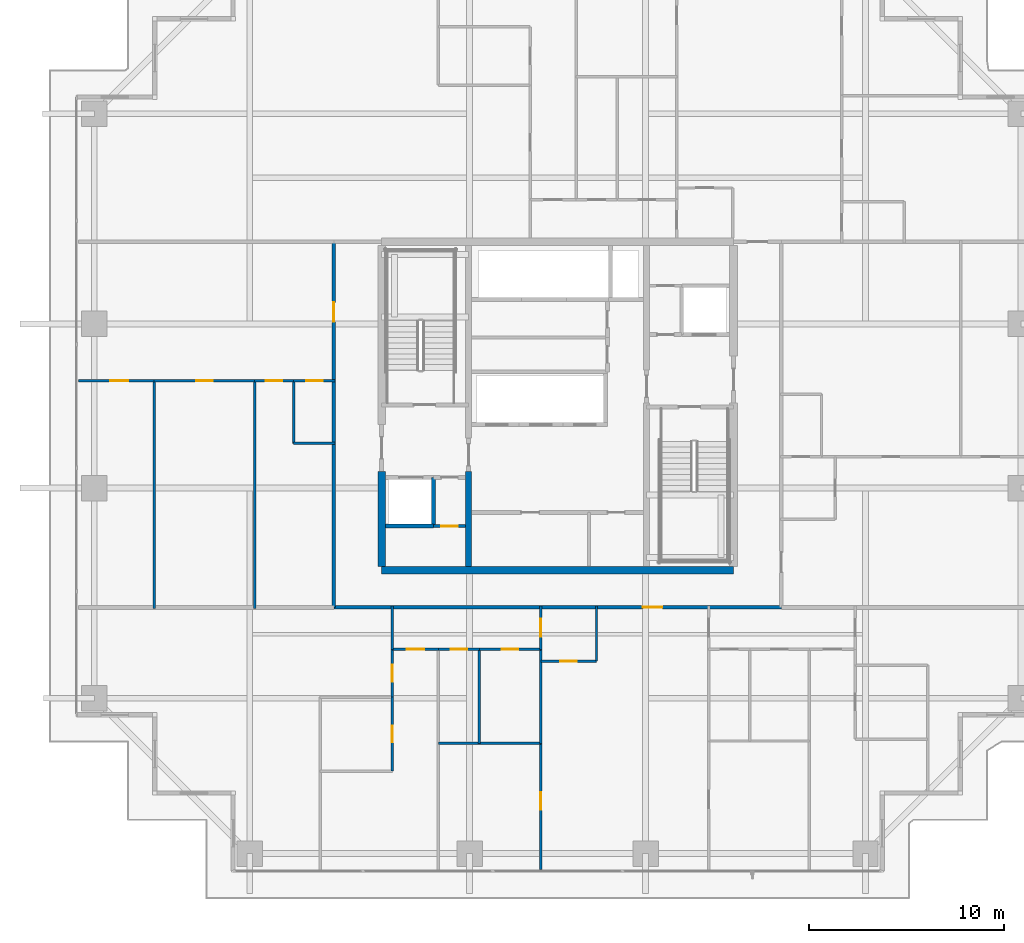
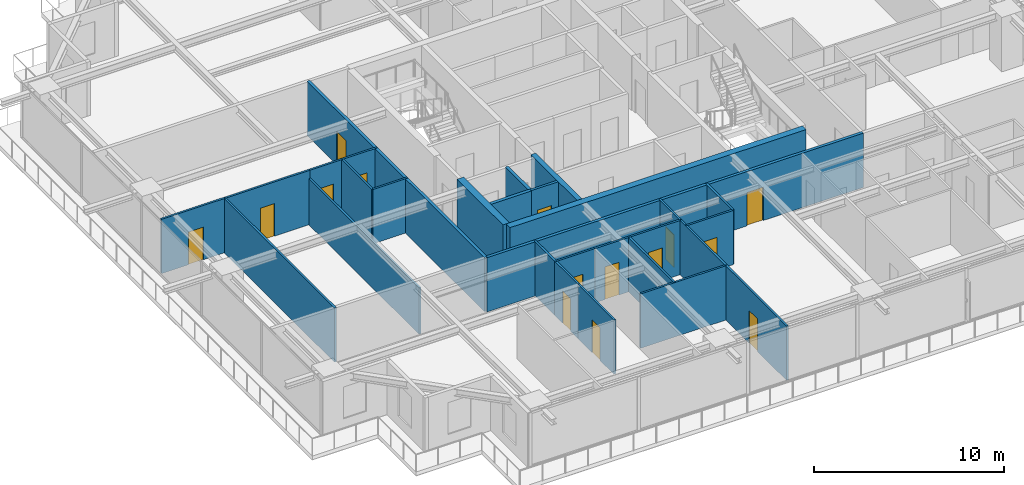
# One storey, part 24 of 34: 29 walls, 15 doors, 15 openings.
"""IFC4 building model written with IfcOpenShell, lengths in metres."""

from ifc_helpers import new_model, si_unit, direction, frame, frame_2d, origin, place, context, subcontext, project, spatial, rectangle, extrude, source, transform, mapped, material, layer, layer_set, type_object, element, fill, save


model = new_model("IFC4")

# Units and contexts
model_context = context("Model", 3, precision=1e-05, world=origin(), true_north=direction((0.0, 1.0)))
body_context = subcontext(model_context, "Body", "Model", "MODEL_VIEW")
ifc_project = project(units=[si_unit("LENGTHUNIT", "METRE"), si_unit("AREAUNIT", "SQUARE_METRE"), si_unit("VOLUMEUNIT", "CUBIC_METRE"), si_unit("PLANEANGLEUNIT", "RADIAN"), si_unit("MASSUNIT", "GRAM", prefix="KILO")], contexts=[model_context])

# Site, building, storey
site_placement = place(None, origin())
site = spatial("IfcSite", under=ifc_project, at=site_placement, CompositionType="ELEMENT")
building_placement = place(site_placement, origin())
building = spatial("IfcBuilding", under=site, at=building_placement, Name="Serunith Strait Residences", CompositionType="ELEMENT")
storey_placement = place(building_placement, frame((0.0, 0.0, 135.14990234375)))
storey = spatial("IfcBuildingStorey", under=building, at=storey_placement, Name="L33", CompositionType="ELEMENT", Elevation=135.14990234375)

# Wall, opening, door
ifc_material_1 = material(Name="Fire-rated masonry service closet wall", Category="masonry")
ifc_layer_1 = layer(ifc_material_1, 0.14990234375, Name="Fire-rated masonry service closet wall")
ifc_layer_set_1 = layer_set([ifc_layer_1], Name="Fire-rated masonry service closet wall")
wall_type_1 = type_object("IfcWallType", Name="IW-BOH-150", PredefinedType="PARTITIONING", material=ifc_layer_set_1)
wall_1_placement = place(storey_placement, frame((26.052001953125, 19.050048828125, 0.0), z_axis=(0.0, 0.0, 1.0), x_axis=(1.0, 0.0, 0.0)))
wall_1 = element("IfcWall", 1, at=wall_1_placement, inside=storey, type_object=wall_type_1, Name="L33 Partition Wall 012", PredefinedType="PARTITIONING", context=body_context, shape_type="SweptSolid", body=[
    extrude(rectangle(XDim=1.64794921875, YDim=0.14990234375, at=frame_2d((0.823974609375, 0.0))), origin(), (0.0, 0.0, 1.0), 3.489990234375),
])
opening_1_placement = place(wall_1_placement, frame((0.39892578125, 0.0, 0.0)))
opening_1 = element("IfcOpeningElement", 2, at=opening_1_placement, cuts=wall_1, Name="Opening FD-850", PredefinedType="OPENING", context=body_context, shape_type="SweptSolid", body=[
    extrude(rectangle(XDim=0.85009765625, YDim=2.10009765625, at=frame_2d((0.425048828125, 1.050048828125))), frame((0.0, 0.0849609375, 0.0), z_axis=(0.0, -1.0, 0.0), x_axis=(1.0, 0.0, 0.0)), (0.0, 0.0, 1.0), 0.169921875),
])
ifc_material_2 = material(Name="Powder-coated steel service closet door", Category="steel")
door_type_1 = type_object("IfcDoorType", Name="FD-BOH-850", OperationType="NOTDEFINED", PredefinedType="DOOR", material=ifc_material_2)
shared_shape_1 = source(origin(), body_context, "Body", "SweptSolid", [
    extrude(rectangle(XDim=0.85009765625, YDim=2.10009765625, at=frame_2d((0.425048828125, 1.050048828125))), frame((0.0, 0.02490234375, 0.0), z_axis=(0.0, -1.0, 0.0), x_axis=(1.0, 0.0, 0.0)), (0.0, 0.0, 1.0), 0.050048828125),
])
door_1_placement = place(opening_1_placement, origin())
door_1 = element("IfcDoor", 3, at=door_1_placement, inside=storey, type_object=door_type_1, Name="L33 Water Meter Door", OperationType="SINGLE_SWING_LEFT", OverallHeight=2.10009765625, OverallWidth=0.85009765625, PredefinedType="DOOR", context=body_context, shape_type="MappedRepresentation", body=[
    mapped(shared_shape_1, transform((0.0, 0.0, 0.0), scale=1.0)),
])
fill(opening_1, door_1)

ifc_material_3 = material(Name="Fire-rated acoustic gypsum partition")
ifc_layer_2 = layer(ifc_material_3, 0.179931640625, Name="Fire-rated acoustic gypsum partition")
ifc_layer_set_2 = layer_set([ifc_layer_2], Name="Fire-rated acoustic gypsum partition")
wall_type_2 = type_object("IfcWallType", Name="IW-CORR-180", PredefinedType="PARTITIONING", material=ifc_layer_set_2)
wall_2_placement = place(storey_placement, frame((20.951904296875, 14.89990234375, 0.0), z_axis=(0.0, 0.0, 1.0), x_axis=(1.0, 0.0, 0.0)))
wall_2 = element("IfcWall", 4, at=wall_2_placement, inside=storey, type_object=wall_type_2, Name="L33 Partition Wall 024", PredefinedType="PARTITIONING", context=body_context, shape_type="SweptSolid", body=[
    extrude(rectangle(XDim=22.89599609375, YDim=0.179931640625, at=frame_2d((11.447998046875, 0.0))), origin(), (0.0, 0.0, 1.0), 3.489990234375),
])
opening_2_placement = place(wall_2_placement, frame((15.80908203125, 0.0, 0.0)))
opening_2 = element("IfcOpeningElement", 5, at=opening_2_placement, cuts=wall_2, Name="Opening D-APT1000", PredefinedType="OPENING", context=body_context, shape_type="SweptSolid", body=[
    extrude(rectangle(XDim=1.0, YDim=2.14990234375, at=frame_2d((0.5, 1.074951171875))), frame((0.0, 0.10009765625, 0.0), z_axis=(0.0, -1.0, 0.0), x_axis=(1.0, 0.0, 0.0)), (0.0, 0.0, 1.0), 0.199951171875),
])
ifc_material_4 = material(Name="Solid timber engineered fire door", Category="wood")
door_type_2 = type_object("IfcDoorType", Name="ID-APT-1000", OperationType="NOTDEFINED", PredefinedType="DOOR", material=ifc_material_4)
shared_shape_2 = source(origin(), body_context, "Body", "SweptSolid", [
    extrude(rectangle(XDim=1.0, YDim=2.14990234375, at=frame_2d((0.5, 1.074951171875))), frame((0.0, 0.02490234375, 0.0), z_axis=(0.0, -1.0, 0.0), x_axis=(1.0, 0.0, 0.0)), (0.0, 0.0, 1.0), 0.050048828125),
])
door_2_placement = place(opening_2_placement, origin())
door_2 = element("IfcDoor", 6, at=door_2_placement, inside=storey, type_object=door_type_2, Name="L33 Unit 01 Entrance Door", OperationType="SINGLE_SWING_LEFT", OverallHeight=2.14990234375, OverallWidth=1.0, PredefinedType="DOOR", context=body_context, shape_type="MappedRepresentation", body=[
    mapped(shared_shape_2, transform((0.0, 0.0, 0.0), scale=1.0)),
])
fill(opening_2, door_2)

wall_3_placement = place(storey_placement, frame((20.949951171875, 14.89990234375, 0.0), z_axis=(0.0, 0.0, 1.0), x_axis=(0.0, 1.0, 0.0)))
wall_3 = element("IfcWall", 7, at=wall_3_placement, inside=storey, type_object=wall_type_2, Name="L33 Partition Wall 025", PredefinedType="PARTITIONING", context=body_context, shape_type="SweptSolid", body=[
    extrude(rectangle(XDim=18.7001953125, YDim=0.179931640625, at=frame_2d((9.35009765625, 0.0))), origin(), (0.0, 0.0, 1.0), 3.489990234375),
])
opening_3_placement = place(wall_3_placement, frame((14.60302734375, 0.0, 0.0)))
opening_3 = element("IfcOpeningElement", 8, at=opening_3_placement, cuts=wall_3, Name="Opening D-APT1000", PredefinedType="OPENING", context=body_context, shape_type="SweptSolid", body=[
    extrude(rectangle(XDim=1.0, YDim=2.14990234375, at=frame_2d((0.5, 1.074951171875))), frame((0.0, 0.10009765625, 0.0), z_axis=(0.0, -1.0, 0.0), x_axis=(1.0, 0.0, 0.0)), (0.0, 0.0, 1.0), 0.199951171875),
])
door_3_placement = place(opening_3_placement, origin())
door_3 = element("IfcDoor", 9, at=door_3_placement, inside=storey, type_object=door_type_2, Name="L33 Unit 03 Entrance Door", OperationType="SINGLE_SWING_RIGHT", OverallHeight=2.14990234375, OverallWidth=1.0, PredefinedType="DOOR", context=body_context, shape_type="MappedRepresentation", body=[
    mapped(shared_shape_2, transform((0.0, 0.0, 0.0), scale=1.0)),
])
fill(opening_3, door_3)

ifc_material_5 = material(Name="Lightweight steel-stud gypsum partition", Category="steel")
ifc_layer_3 = layer(ifc_material_5, 0.1201171875, Name="Lightweight steel-stud gypsum partition")
ifc_layer_set_3 = layer_set([ifc_layer_3], Name="Lightweight steel-stud gypsum partition")
wall_type_3 = type_object("IfcWallType", Name="IW-PART-120", PredefinedType="PARTITIONING", material=ifc_layer_set_3)
wall_4_placement = place(storey_placement, frame((31.5400390625, 12.14990234375, 0.0), z_axis=(0.0, 0.0, 1.0), x_axis=(1.0, 0.0, 0.0)))
wall_4 = element("IfcWall", 10, at=wall_4_placement, inside=storey, type_object=wall_type_3, Name="L33 Partition Wall 029", PredefinedType="PARTITIONING", context=body_context, shape_type="SweptSolid", body=[
    extrude(rectangle(XDim=2.849853515625, YDim=0.1201171875, at=frame_2d((1.4248046875, 0.0))), origin(), (0.0, 0.0, 1.0), 3.489990234375),
])
opening_4_placement = place(wall_4_placement, frame((1.0, 0.0, 0.0)))
opening_4 = element("IfcOpeningElement", 11, at=opening_4_placement, cuts=wall_4, Name="Opening D-RM850", PredefinedType="OPENING", context=body_context, shape_type="SweptSolid", body=[
    extrude(rectangle(XDim=0.85009765625, YDim=2.10009765625, at=frame_2d((0.425048828125, 1.050048828125))), frame((0.0, 0.070068359375, 0.0), z_axis=(0.0, -1.0, 0.0), x_axis=(1.0, 0.0, 0.0)), (0.0, 0.0, 1.0), 0.14013671875),
])
ifc_material_6 = material(Name="Engineered timber flush study and kitchen door", Category="wood")
door_type_3 = type_object("IfcDoorType", Name="ID-ROOM-850", OperationType="NOTDEFINED", PredefinedType="DOOR", material=ifc_material_6)
door_4_placement = place(opening_4_placement, origin())
door_4 = element("IfcDoor", 12, at=door_4_placement, inside=storey, type_object=door_type_3, Name="L33 Kitchen 3301 Door", OperationType="SINGLE_SWING_LEFT", OverallHeight=2.10009765625, OverallWidth=0.85009765625, PredefinedType="DOOR", context=body_context, shape_type="MappedRepresentation", body=[
    mapped(shared_shape_1, transform((0.0, 0.0, 0.0), scale=1.0)),
])
fill(opening_4, door_4)

# Wall
wall_5_placement = place(storey_placement, frame((34.389892578125, 12.14990234375, 0.0), z_axis=(0.0, 0.0, 1.0), x_axis=(0.0, 1.0, 0.0)))
element("IfcWall", 13, at=wall_5_placement, inside=storey, type_object=wall_type_3, Name="L33 Partition Wall 030", PredefinedType="PARTITIONING", context=body_context, shape_type="SweptSolid", body=[
    extrude(rectangle(XDim=2.81005859375, YDim=0.1201171875, at=frame_2d((1.405029296875, 0.0))), origin(), (0.0, 0.0, 1.0), 3.489990234375),
])

# Wall, opening, door
wall_6_placement = place(storey_placement, frame((31.5400390625, 12.75, 0.0), z_axis=(0.0, 0.0, 1.0), x_axis=(0.0, 1.0, 0.0)))
wall_6 = element("IfcWall", 14, at=wall_6_placement, inside=storey, type_object=wall_type_3, Name="L33 Partition Wall 031", PredefinedType="PARTITIONING", context=body_context, shape_type="SweptSolid", body=[
    extrude(rectangle(XDim=2.2099609375, YDim=0.1201171875, at=frame_2d((1.10498046875, 0.0))), origin(), (0.0, 0.0, 1.0), 3.489990234375),
])
opening_5_placement = place(wall_6_placement, frame((0.655029296875, 0.0, 0.0)))
opening_5 = element("IfcOpeningElement", 15, at=opening_5_placement, cuts=wall_6, Name="Opening D-RM900", PredefinedType="OPENING", context=body_context, shape_type="SweptSolid", body=[
    extrude(rectangle(XDim=0.89990234375, YDim=2.10009765625, at=frame_2d((0.449951171875, 1.050048828125))), frame((0.0, 0.070068359375, 0.0), z_axis=(0.0, -1.0, 0.0), x_axis=(1.0, 0.0, 0.0)), (0.0, 0.0, 1.0), 0.14013671875),
])
ifc_material_7 = material(Name="Engineered timber flush bedroom door", Category="wood")
door_type_4 = type_object("IfcDoorType", Name="ID-ROOM-900", OperationType="NOTDEFINED", PredefinedType="DOOR", material=ifc_material_7)
shared_shape_3 = source(origin(), body_context, "Body", "SweptSolid", [
    extrude(rectangle(XDim=0.89990234375, YDim=2.10009765625, at=frame_2d((0.449951171875, 1.050048828125))), frame((0.0, 0.02490234375, 0.0), z_axis=(0.0, -1.0, 0.0), x_axis=(1.0, 0.0, 0.0)), (0.0, 0.0, 1.0), 0.050048828125),
])
door_5_placement = place(opening_5_placement, origin())
door_5 = element("IfcDoor", 16, at=door_5_placement, inside=storey, type_object=door_type_4, Name="L33 Hall W 3301 Door", OperationType="SINGLE_SWING_RIGHT", OverallHeight=2.10009765625, OverallWidth=0.89990234375, PredefinedType="DOOR", context=body_context, shape_type="MappedRepresentation", body=[
    mapped(shared_shape_3, transform((0.0, 0.0, 0.0), scale=1.0)),
])
fill(opening_5, door_5)

wall_7_placement = place(storey_placement, frame((31.5400390625, 1.4951171875, 0.0), z_axis=(0.0, 0.0, 1.0), x_axis=(0.0, 1.0, 0.0)))
wall_7 = element("IfcWall", 17, at=wall_7_placement, inside=storey, type_object=wall_type_3, Name="L33 Partition Wall 032", PredefinedType="PARTITIONING", context=body_context, shape_type="SweptSolid", body=[
    extrude(rectangle(XDim=6.449951171875, YDim=0.1201171875, at=frame_2d((3.22509765625, 0.0))), origin(), (0.0, 0.0, 1.0), 3.489990234375),
])
opening_6_placement = place(wall_7_placement, frame((3.052978515625, 0.0, 0.0)))
opening_6 = element("IfcOpeningElement", 18, at=opening_6_placement, cuts=wall_7, Name="Opening D-RM900", PredefinedType="OPENING", context=body_context, shape_type="SweptSolid", body=[
    extrude(rectangle(XDim=0.89990234375, YDim=2.10009765625, at=frame_2d((0.449951171875, 1.050048828125))), frame((0.0, 0.070068359375, 0.0), z_axis=(0.0, -1.0, 0.0), x_axis=(1.0, 0.0, 0.0)), (0.0, 0.0, 1.0), 0.14013671875),
])
door_6_placement = place(opening_6_placement, origin())
door_6 = element("IfcDoor", 19, at=door_6_placement, inside=storey, type_object=door_type_4, Name="L33 Formal Dining Room 1 3301 Door", OperationType="SINGLE_SWING_LEFT", OverallHeight=2.10009765625, OverallWidth=0.89990234375, PredefinedType="DOOR", context=body_context, shape_type="MappedRepresentation", body=[
    mapped(shared_shape_3, transform((0.0, 0.0, 0.0), scale=1.0)),
])
fill(opening_6, door_6)

# Walls
wall_8_placement = place(storey_placement, frame((31.5400390625, 7.947021484375, 0.0), z_axis=(0.0, 0.0, 1.0), x_axis=(0.0, 1.0, 0.0)))
element("IfcWall", 20, at=wall_8_placement, inside=storey, type_object=wall_type_3, Name="L33 Partition Wall 033", PredefinedType="PARTITIONING", context=body_context, shape_type="SweptSolid", body=[
    extrude(rectangle(XDim=4.801025390625, YDim=0.1201171875, at=frame_2d((2.400390625, 0.0))), origin(), (0.0, 0.0, 1.0), 3.489990234375),
])
wall_9_placement = place(storey_placement, frame((26.300048828125, 7.945068359375, 0.0), z_axis=(0.0, 0.0, 1.0), x_axis=(1.0, 0.0, 0.0)))
element("IfcWall", 21, at=wall_9_placement, inside=storey, type_object=wall_type_3, Name="L33 Partition Wall 034", PredefinedType="PARTITIONING", context=body_context, shape_type="SweptSolid", body=[
    extrude(rectangle(XDim=5.239990234375, YDim=0.1201171875, at=frame_2d((2.6201171875, 0.0))), origin(), (0.0, 0.0, 1.0), 3.489990234375),
])
wall_10_placement = place(storey_placement, frame((28.39990234375, 7.945068359375, 0.0), z_axis=(0.0, 0.0, 1.0), x_axis=(0.0, 1.0, 0.0)))
element("IfcWall", 22, at=wall_10_placement, inside=storey, type_object=wall_type_3, Name="L33 Partition Wall 036", PredefinedType="PARTITIONING", context=body_context, shape_type="SweptSolid", body=[
    extrude(rectangle(XDim=4.804931640625, YDim=0.1201171875, at=frame_2d((2.40234375, 0.0))), origin(), (0.0, 0.0, 1.0), 3.489990234375),
])

# Wall, opening, door
wall_11_placement = place(storey_placement, frame((26.300048828125, 12.75, 0.0), z_axis=(0.0, 0.0, 1.0), x_axis=(1.0, 0.0, 0.0)))
wall_11 = element("IfcWall", 23, at=wall_11_placement, inside=storey, type_object=wall_type_3, Name="L33 Partition Wall 037", PredefinedType="PARTITIONING", context=body_context, shape_type="SweptSolid", body=[
    extrude(rectangle(XDim=2.099853515625, YDim=0.1201171875, at=frame_2d((1.0498046875, 0.0))), origin(), (0.0, 0.0, 1.0), 3.489990234375),
])
opening_7_placement = place(wall_11_placement, frame((0.625, 0.0, 0.0)))
opening_7 = element("IfcOpeningElement", 24, at=opening_7_placement, cuts=wall_11, Name="Opening D-BTH850", PredefinedType="OPENING", context=body_context, shape_type="SweptSolid", body=[
    extrude(rectangle(XDim=0.85009765625, YDim=2.10009765625, at=frame_2d((0.425048828125, 1.050048828125))), frame((0.0, 0.070068359375, 0.0), z_axis=(0.0, -1.0, 0.0), x_axis=(1.0, 0.0, 0.0)), (0.0, 0.0, 1.0), 0.14013671875),
])
ifc_material_8 = material(Name="Moisture-resistant timber bathroom door", Category="wood")
door_type_5 = type_object("IfcDoorType", Name="ID-BATH-850", OperationType="NOTDEFINED", PredefinedType="DOOR", material=ifc_material_8)
door_7_placement = place(opening_7_placement, origin())
door_7 = element("IfcDoor", 25, at=door_7_placement, inside=storey, type_object=door_type_5, Name="L33 Bathroom 3301 Door", OperationType="SINGLE_SWING_RIGHT", OverallHeight=2.10009765625, OverallWidth=0.85009765625, PredefinedType="DOOR", context=body_context, shape_type="MappedRepresentation", body=[
    mapped(shared_shape_1, transform((0.0, 0.0, 0.0), scale=1.0)),
])
fill(opening_7, door_7)

wall_12_placement = place(storey_placement, frame((28.402099609375, 12.75, 0.0), z_axis=(0.0, 0.0, 1.0), x_axis=(1.0, 0.0, 0.0)))
wall_12 = element("IfcWall", 26, at=wall_12_placement, inside=storey, type_object=wall_type_3, Name="L33 Partition Wall 038", PredefinedType="PARTITIONING", context=body_context, shape_type="SweptSolid", body=[
    extrude(rectangle(XDim=3.137939453125, YDim=0.1201171875, at=frame_2d((1.56884765625, 0.0))), origin(), (0.0, 0.0, 1.0), 3.489990234375),
])
opening_8_placement = place(wall_12_placement, frame((1.14404296875, 0.0, 0.0)))
opening_8 = element("IfcOpeningElement", 27, at=opening_8_placement, cuts=wall_12, Name="Opening D-RM850", PredefinedType="OPENING", context=body_context, shape_type="SweptSolid", body=[
    extrude(rectangle(XDim=0.85009765625, YDim=2.10009765625, at=frame_2d((0.425048828125, 1.050048828125))), frame((0.0, 0.070068359375, 0.0), z_axis=(0.0, -1.0, 0.0), x_axis=(1.0, 0.0, 0.0)), (0.0, 0.0, 1.0), 0.14013671875),
])
door_8_placement = place(opening_8_placement, origin())
door_8 = element("IfcDoor", 28, at=door_8_placement, inside=storey, type_object=door_type_3, Name="L33 Formal Dining Room 3301 Door", OperationType="SINGLE_SWING_LEFT", OverallHeight=2.10009765625, OverallWidth=0.85009765625, PredefinedType="DOOR", context=body_context, shape_type="MappedRepresentation", body=[
    mapped(shared_shape_1, transform((0.0, 0.0, 0.0), scale=1.0)),
])
fill(opening_8, door_8)

wall_13_placement = place(storey_placement, frame((23.949951171875, 12.75, 0.0), z_axis=(0.0, 0.0, 1.0), x_axis=(1.0, 0.0, 0.0)))
wall_13 = element("IfcWall", 29, at=wall_13_placement, inside=storey, type_object=wall_type_3, Name="L33 Partition Wall 039", PredefinedType="PARTITIONING", context=body_context, shape_type="SweptSolid", body=[
    extrude(rectangle(XDim=2.34814453125, YDim=0.1201171875, at=frame_2d((1.174072265625, 0.0))), origin(), (0.0, 0.0, 1.0), 3.489990234375),
])
opening_9_placement = place(wall_13_placement, frame((0.72412109375, 0.0, 0.0)))
opening_9 = element("IfcOpeningElement", 30, at=opening_9_placement, cuts=wall_13, Name="Opening D-RM900", PredefinedType="OPENING", context=body_context, shape_type="SweptSolid", body=[
    extrude(rectangle(XDim=0.89990234375, YDim=2.10009765625, at=frame_2d((0.449951171875, 1.050048828125))), frame((0.0, 0.070068359375, 0.0), z_axis=(0.0, -1.0, 0.0), x_axis=(1.0, 0.0, 0.0)), (0.0, 0.0, 1.0), 0.14013671875),
])
door_9_placement = place(opening_9_placement, origin())
door_9 = element("IfcDoor", 31, at=door_9_placement, inside=storey, type_object=door_type_4, Name="L33 Master Bedroom W 3301 Door", OperationType="SINGLE_SWING_RIGHT", OverallHeight=2.10009765625, OverallWidth=0.89990234375, PredefinedType="DOOR", context=body_context, shape_type="MappedRepresentation", body=[
    mapped(shared_shape_3, transform((0.0, 0.0, 0.0), scale=1.0)),
])
fill(opening_9, door_9)

wall_14_placement = place(storey_placement, frame((23.949951171875, 6.51904296875, 0.0), z_axis=(0.0, 0.0, 1.0), x_axis=(0.0, 1.0, 0.0)))
wall_14 = element("IfcWall", 32, at=wall_14_placement, inside=storey, type_object=wall_type_3, Name="L33 Partition Wall 043", PredefinedType="PARTITIONING", context=body_context, shape_type="SweptSolid", body=[
    extrude(rectangle(XDim=3.783935546875, YDim=0.1201171875, at=frame_2d((1.89208984375, 0.0))), origin(), (0.0, 0.0, 1.0), 3.489990234375),
])
opening_10_placement = place(wall_14_placement, frame((1.467041015625, 0.0, 0.0)))
opening_10 = element("IfcOpeningElement", 33, at=opening_10_placement, cuts=wall_14, Name="Opening D-BTH850", PredefinedType="OPENING", context=body_context, shape_type="SweptSolid", body=[
    extrude(rectangle(XDim=0.85009765625, YDim=2.10009765625, at=frame_2d((0.425048828125, 1.050048828125))), frame((0.0, 0.070068359375, 0.0), z_axis=(0.0, -1.0, 0.0), x_axis=(1.0, 0.0, 0.0)), (0.0, 0.0, 1.0), 0.14013671875),
])
door_10_placement = place(opening_10_placement, origin())
door_10 = element("IfcDoor", 34, at=door_10_placement, inside=storey, type_object=door_type_5, Name="L33 En-suite Bathroom W 3301 Door", OperationType="SINGLE_SWING_LEFT", OverallHeight=2.10009765625, OverallWidth=0.85009765625, PredefinedType="DOOR", context=body_context, shape_type="MappedRepresentation", body=[
    mapped(shared_shape_1, transform((0.0, 0.0, 0.0), scale=1.0)),
])
fill(opening_10, door_10)

wall_15_placement = place(storey_placement, frame((23.949951171875, 10.304931640625, 0.0), z_axis=(0.0, 0.0, 1.0), x_axis=(0.0, 1.0, 0.0)))
wall_15 = element("IfcWall", 35, at=wall_15_placement, inside=storey, type_object=wall_type_3, Name="L33 Partition Wall 044", PredefinedType="PARTITIONING", context=body_context, shape_type="SweptSolid", body=[
    extrude(rectangle(XDim=2.445068359375, YDim=0.1201171875, at=frame_2d((1.22265625, 0.0))), origin(), (0.0, 0.0, 1.0), 3.489990234375),
])
opening_11_placement = place(wall_15_placement, frame((0.798095703125, 0.0, 0.0)))
opening_11 = element("IfcOpeningElement", 36, at=opening_11_placement, cuts=wall_15, Name="Opening D-RM850", PredefinedType="OPENING", context=body_context, shape_type="SweptSolid", body=[
    extrude(rectangle(XDim=0.85009765625, YDim=2.10009765625, at=frame_2d((0.425048828125, 1.050048828125))), frame((0.0, 0.070068359375, 0.0), z_axis=(0.0, -1.0, 0.0), x_axis=(1.0, 0.0, 0.0)), (0.0, 0.0, 1.0), 0.14013671875),
])
door_11_placement = place(opening_11_placement, origin())
door_11 = element("IfcDoor", 37, at=door_11_placement, inside=storey, type_object=door_type_3, Name="L33 Wardrobe W 3301 Door", OperationType="SINGLE_SWING_RIGHT", OverallHeight=2.10009765625, OverallWidth=0.85009765625, PredefinedType="DOOR", context=body_context, shape_type="MappedRepresentation", body=[
    mapped(shared_shape_1, transform((0.0, 0.0, 0.0), scale=1.0)),
])
fill(opening_11, door_11)

# Wall
wall_16_placement = place(storey_placement, frame((23.949951171875, 12.751953125, 0.0), z_axis=(0.0, 0.0, 1.0), x_axis=(0.0, 1.0, 0.0)))
element("IfcWall", 38, at=wall_16_placement, inside=storey, type_object=wall_type_3, Name="L33 Partition Wall 045", PredefinedType="PARTITIONING", context=body_context, shape_type="SweptSolid", body=[
    extrude(rectangle(XDim=2.2080078125, YDim=0.1201171875, at=frame_2d((1.10400390625, 0.0))), origin(), (0.0, 0.0, 1.0), 3.489990234375),
])

# Wall, opening, door
wall_17_placement = place(storey_placement, frame((7.89501953125, 26.489990234375, 0.0), z_axis=(0.0, 0.0, 1.0), x_axis=(1.0, 0.0, 0.0)))
wall_17 = element("IfcWall", 39, at=wall_17_placement, inside=storey, type_object=wall_type_3, Name="L33 Partition Wall 084", PredefinedType="PARTITIONING", context=body_context, shape_type="SweptSolid", body=[
    extrude(rectangle(XDim=3.864013671875, YDim=0.1201171875, at=frame_2d((1.93212890625, 0.0))), origin(), (0.0, 0.0, 1.0), 3.489990234375),
])
opening_12_placement = place(wall_17_placement, frame((1.6298828125, 0.0, 0.0)))
opening_12 = element("IfcOpeningElement", 40, at=opening_12_placement, cuts=wall_17, Name="Opening D-RM900", PredefinedType="OPENING", context=body_context, shape_type="SweptSolid", body=[
    extrude(rectangle(XDim=0.89990234375, YDim=2.10009765625, at=frame_2d((0.449951171875, 1.050048828125))), frame((0.0, 0.070068359375, 0.0), z_axis=(0.0, -1.0, 0.0), x_axis=(1.0, 0.0, 0.0)), (0.0, 0.0, 1.0), 0.14013671875),
])
door_12_placement = place(opening_12_placement, origin())
door_12 = element("IfcDoor", 41, at=door_12_placement, inside=storey, type_object=door_type_4, Name="L33 Master Bedroom 1 3303 Door", OperationType="SINGLE_SWING_LEFT", OverallHeight=2.10009765625, OverallWidth=0.89990234375, PredefinedType="DOOR", context=body_context, shape_type="MappedRepresentation", body=[
    mapped(shared_shape_3, transform((0.0, 0.0, 0.0), scale=1.0)),
])
fill(opening_12, door_12)

# Walls
wall_18_placement = place(storey_placement, frame((11.759033203125, 14.840087890625, 0.0), z_axis=(0.0, 0.0, 1.0), x_axis=(0.0, 1.0, 0.0)))
element("IfcWall", 42, at=wall_18_placement, inside=storey, type_object=wall_type_3, Name="L33 Partition Wall 085", PredefinedType="PARTITIONING", context=body_context, shape_type="SweptSolid", body=[
    extrude(rectangle(XDim=11.64990234375, YDim=0.1201171875, at=frame_2d((5.824951171875, 0.0))), origin(), (0.0, 0.0, 1.0), 3.489990234375),
])
wall_19_placement = place(storey_placement, frame((16.89990234375, 14.840087890625, 0.0), z_axis=(0.0, 0.0, 1.0), x_axis=(0.0, 1.0, 0.0)))
element("IfcWall", 43, at=wall_19_placement, inside=storey, type_object=wall_type_3, Name="L33 Partition Wall 086", PredefinedType="PARTITIONING", context=body_context, shape_type="SweptSolid", body=[
    extrude(rectangle(XDim=11.64990234375, YDim=0.1201171875, at=frame_2d((5.824951171875, 0.0))), origin(), (0.0, 0.0, 1.0), 2.97216796875),
])
wall_20_placement = place(storey_placement, frame((18.89990234375, 23.2900390625, 0.0), z_axis=(0.0, 0.0, 1.0), x_axis=(0.0, 1.0, 0.0)))
element("IfcWall", 44, at=wall_20_placement, inside=storey, type_object=wall_type_3, Name="L33 Partition Wall 087", PredefinedType="PARTITIONING", context=body_context, shape_type="SweptSolid", body=[
    extrude(rectangle(XDim=3.199951171875, YDim=0.1201171875, at=frame_2d((1.60009765625, 0.0))), origin(), (0.0, 0.0, 1.0), 3.489990234375),
])
wall_21_placement = place(storey_placement, frame((18.89990234375, 23.2900390625, 0.0), z_axis=(0.0, 0.0, 1.0), x_axis=(1.0, 0.0, 0.0)))
element("IfcWall", 45, at=wall_21_placement, inside=storey, type_object=wall_type_3, Name="L33 Partition Wall 088", PredefinedType="PARTITIONING", context=body_context, shape_type="SweptSolid", body=[
    extrude(rectangle(XDim=2.110107421875, YDim=0.1201171875, at=frame_2d((1.05517578125, 0.0))), origin(), (0.0, 0.0, 1.0), 3.489990234375),
])

# Wall, opening, door
wall_22_placement = place(storey_placement, frame((11.760986328125, 26.489990234375, 0.0), z_axis=(0.0, 0.0, 1.0), x_axis=(1.0, 0.0, 0.0)))
wall_22 = element("IfcWall", 46, at=wall_22_placement, inside=storey, type_object=wall_type_3, Name="L33 Partition Wall 089", PredefinedType="PARTITIONING", context=body_context, shape_type="SweptSolid", body=[
    extrude(rectangle(XDim=5.138916015625, YDim=0.1201171875, at=frame_2d((2.5693359375, 0.0))), origin(), (0.0, 0.0, 1.0), 3.489990234375),
])
opening_13_placement = place(wall_22_placement, frame((2.14404296875, 0.0, 0.0)))
opening_13 = element("IfcOpeningElement", 47, at=opening_13_placement, cuts=wall_22, Name="Opening D-RM850", PredefinedType="OPENING", context=body_context, shape_type="SweptSolid", body=[
    extrude(rectangle(XDim=0.85009765625, YDim=2.10009765625, at=frame_2d((0.425048828125, 1.050048828125))), frame((0.0, 0.070068359375, 0.0), z_axis=(0.0, -1.0, 0.0), x_axis=(1.0, 0.0, 0.0)), (0.0, 0.0, 1.0), 0.14013671875),
])
door_13_placement = place(opening_13_placement, origin())
door_13 = element("IfcDoor", 48, at=door_13_placement, inside=storey, type_object=door_type_3, Name="L33 Dining 3303 Door", OperationType="SINGLE_SWING_RIGHT", OverallHeight=2.10009765625, OverallWidth=0.85009765625, PredefinedType="DOOR", context=body_context, shape_type="MappedRepresentation", body=[
    mapped(shared_shape_1, transform((0.0, 0.0, 0.0), scale=1.0)),
])
fill(opening_13, door_13)

wall_23_placement = place(storey_placement, frame((16.902099609375, 26.489990234375, 0.0), z_axis=(0.0, 0.0, 1.0), x_axis=(1.0, 0.0, 0.0)))
wall_23 = element("IfcWall", 49, at=wall_23_placement, inside=storey, type_object=wall_type_3, Name="L33 Partition Wall 090", PredefinedType="PARTITIONING", context=body_context, shape_type="SweptSolid", body=[
    extrude(rectangle(XDim=1.997802734375, YDim=0.1201171875, at=frame_2d((0.9990234375, 0.0))), origin(), (0.0, 0.0, 1.0), 3.489990234375),
])
opening_14_placement = place(wall_23_placement, frame((0.573974609375, 0.0, 0.0)))
opening_14 = element("IfcOpeningElement", 50, at=opening_14_placement, cuts=wall_23, Name="Opening D-RM850", PredefinedType="OPENING", context=body_context, shape_type="SweptSolid", body=[
    extrude(rectangle(XDim=0.85009765625, YDim=2.10009765625, at=frame_2d((0.425048828125, 1.050048828125))), frame((0.0, 0.070068359375, 0.0), z_axis=(0.0, -1.0, 0.0), x_axis=(1.0, 0.0, 0.0)), (0.0, 0.0, 1.0), 0.14013671875),
])
door_14_placement = place(opening_14_placement, origin())
door_14 = element("IfcDoor", 51, at=door_14_placement, inside=storey, type_object=door_type_3, Name="L33 Kitchen 3303 Door", OperationType="SINGLE_SWING_LEFT", OverallHeight=2.10009765625, OverallWidth=0.85009765625, PredefinedType="DOOR", context=body_context, shape_type="MappedRepresentation", body=[
    mapped(shared_shape_1, transform((0.0, 0.0, 0.0), scale=1.0)),
])
fill(opening_14, door_14)

wall_24_placement = place(storey_placement, frame((18.902099609375, 26.489990234375, 0.0), z_axis=(0.0, 0.0, 1.0), x_axis=(1.0, 0.0, 0.0)))
wall_24 = element("IfcWall", 52, at=wall_24_placement, inside=storey, type_object=wall_type_3, Name="L33 Partition Wall 091", PredefinedType="PARTITIONING", context=body_context, shape_type="SweptSolid", body=[
    extrude(rectangle(XDim=2.10791015625, YDim=0.1201171875, at=frame_2d((1.053955078125, 0.0))), origin(), (0.0, 0.0, 1.0), 3.489990234375),
])
opening_15_placement = place(wall_24_placement, frame((0.62890625, 0.0, 0.0)))
opening_15 = element("IfcOpeningElement", 53, at=opening_15_placement, cuts=wall_24, Name="Opening D-BTH850", PredefinedType="OPENING", context=body_context, shape_type="SweptSolid", body=[
    extrude(rectangle(XDim=0.85009765625, YDim=2.10009765625, at=frame_2d((0.425048828125, 1.050048828125))), frame((0.0, 0.070068359375, 0.0), z_axis=(0.0, -1.0, 0.0), x_axis=(1.0, 0.0, 0.0)), (0.0, 0.0, 1.0), 0.14013671875),
])
door_15_placement = place(opening_15_placement, origin())
door_15 = element("IfcDoor", 54, at=door_15_placement, inside=storey, type_object=door_type_5, Name="L33 Bathroom 3303 Door", OperationType="SINGLE_SWING_RIGHT", OverallHeight=2.10009765625, OverallWidth=0.85009765625, PredefinedType="DOOR", context=body_context, shape_type="MappedRepresentation", body=[
    mapped(shared_shape_1, transform((0.0, 0.0, 0.0), scale=1.0)),
])
fill(opening_15, door_15)

# Walls
ifc_material_9 = material(Name="Autoclaved aerated concrete blockwork", Category="masonry")
ifc_layer_4 = layer(ifc_material_9, 0.199951171875, Name="Autoclaved aerated concrete blockwork")
ifc_layer_set_4 = layer_set([ifc_layer_4], Name="Autoclaved aerated concrete blockwork")
wall_type_4 = type_object("IfcWallType", Name="IW-SHAFT-200", PredefinedType="STANDARD", material=ifc_layer_set_4)
wall_25_placement = place(storey_placement, frame((26.050048828125, 19.050048828125, 0.0), z_axis=(0.0, 0.0, 1.0), x_axis=(0.0, 1.0, 0.0)))
element("IfcWall", 55, at=wall_25_placement, inside=storey, type_object=wall_type_4, Name="L33 Partition Wall 001", PredefinedType="STANDARD", context=body_context, shape_type="SweptSolid", body=[
    extrude(rectangle(XDim=2.5, YDim=0.199951171875, at=frame_2d((1.25, 0.0))), origin(), (0.0, 0.0, 1.0), 3.489990234375),
])
wall_26_placement = place(storey_placement, frame((23.60009765625, 19.050048828125, 0.0), z_axis=(0.0, 0.0, 1.0), x_axis=(1.0, 0.0, 0.0)))
element("IfcWall", 56, at=wall_26_placement, inside=storey, type_object=wall_type_4, Name="L33 Partition Wall 002", PredefinedType="STANDARD", context=body_context, shape_type="SweptSolid", body=[
    extrude(rectangle(XDim=2.449951171875, YDim=0.199951171875, at=frame_2d((1.22509765625, 0.0))), origin(), (0.0, 0.0, 1.0), 3.489990234375),
])
ifc_material_10 = material(Name="Concrete C70/85", Category="concrete")
ifc_layer_5 = layer(ifc_material_10, 0.300048828125, Name="Concrete C70/85")
ifc_layer_set_5 = layer_set([ifc_layer_5], Name="Concrete C70/85")
wall_type_5 = type_object("IfcWallType", Name="SW-300-C70", PredefinedType="SHEAR", material=ifc_layer_set_5)
wall_27_placement = place(storey_placement, frame((27.85009765625, 17.0, -0.260009765625), z_axis=(0.0, 0.0, 1.0), x_axis=(0.0, 1.0, 0.0)))
element("IfcWall", 57, at=wall_27_placement, inside=storey, type_object=wall_type_5, Name="L33 Core Internal West Web South Pier", PredefinedType="SHEAR", context=body_context, shape_type="SweptSolid", body=[
    extrude(rectangle(XDim=4.85009765625, YDim=0.300048828125, at=frame_2d((2.425048828125, 0.0))), origin(), (0.0, 0.0, 1.0), 3.748046875),
])
ifc_layer_6 = layer(ifc_material_10, 0.39990234375, Name="Concrete C70/85")
ifc_layer_set_6 = layer_set([ifc_layer_6], Name="Concrete C70/85")
wall_type_6 = type_object("IfcWallType", Name="SW-400-C70", PredefinedType="SHEAR", material=ifc_layer_set_6)
wall_28_placement = place(storey_placement, frame((23.39990234375, 16.800048828125, -0.260009765625), z_axis=(0.0, 0.0, 1.0), x_axis=(1.0, 0.0, 0.0)))
element("IfcWall", 58, at=wall_28_placement, inside=storey, type_object=wall_type_6, Name="L33 Core South Shear Wall", PredefinedType="SHEAR", context=body_context, shape_type="SweptSolid", body=[
    extrude(rectangle(XDim=18.0, YDim=0.39990234375, at=frame_2d((9.0, 0.0))), origin(), (0.0, 0.0, 1.0), 3.748046875),
])
wall_29_placement = place(storey_placement, frame((23.39990234375, 17.0, -0.260009765625), z_axis=(0.0, 0.0, 1.0), x_axis=(0.0, 1.0, 0.0)))
element("IfcWall", 59, at=wall_29_placement, inside=storey, type_object=wall_type_6, Name="L33 Core West Shear Wall South Pier", PredefinedType="SHEAR", context=body_context, shape_type="SweptSolid", body=[
    extrude(rectangle(XDim=4.85009765625, YDim=0.39990234375, at=frame_2d((2.425048828125, 0.0))), origin(), (0.0, 0.0, 1.0), 3.748046875),
])

save(model, "model.ifc")
